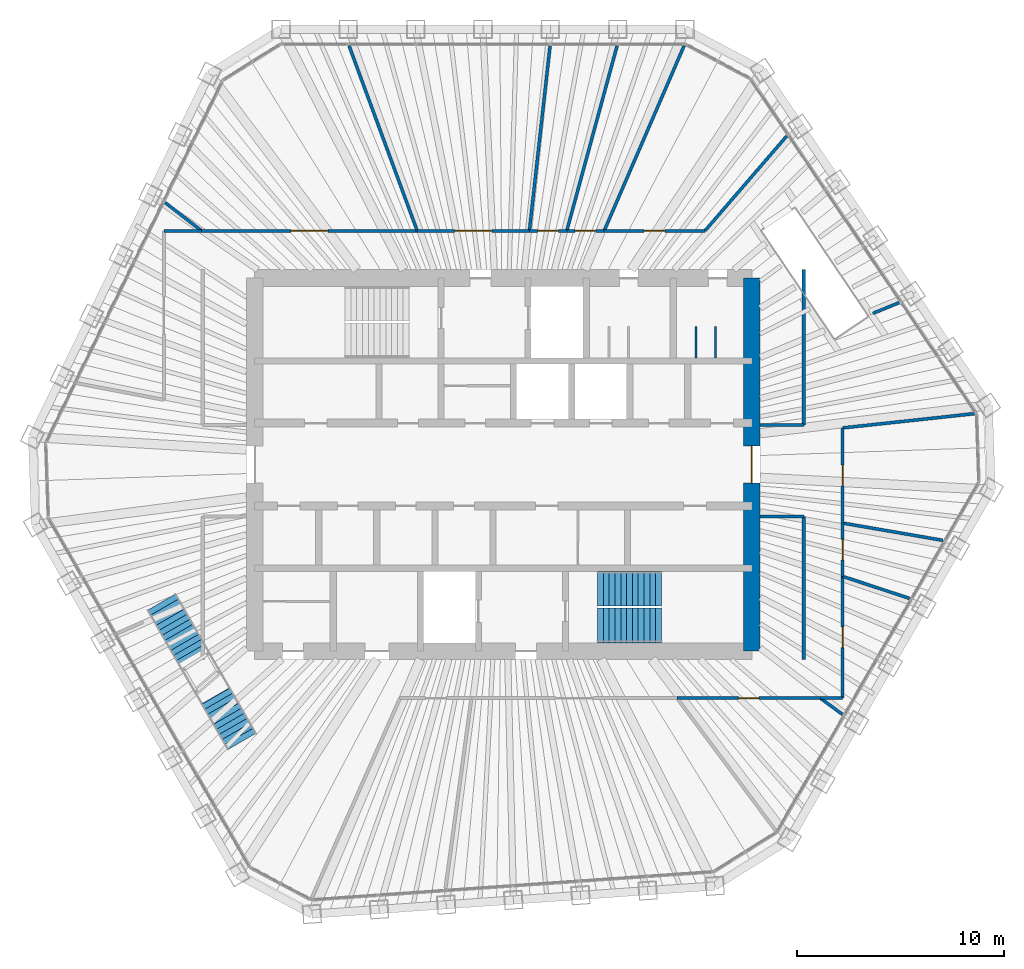
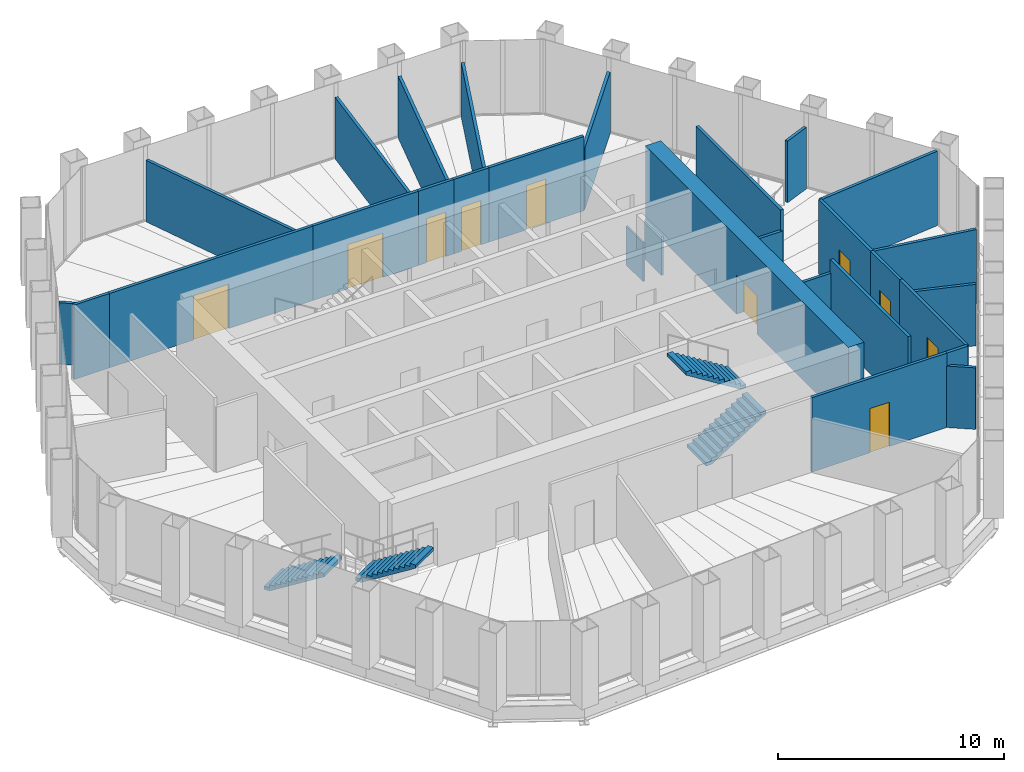
# One storey, part 15 of 17: 29 walls, 10 doors, 4 stair flights, 10 openings, 2 elements without a shape of their own.
"""IFC4 building model written with IfcOpenShell, lengths in metres."""

from ifc_helpers import new_model, si_unit, direction, frame, frame_2d, origin, place, context, subcontext, project, spatial, polyline, rectangle, outline, extrude, material, layer, layer_set, constituent, constituent_set, type_object, element, fill, aggregate, save


model = new_model("IFC4")

# Units and contexts
model_context = context("Model", 3, precision=1e-05, world=origin(), true_north=direction((0.0, 1.0)))
body_context = subcontext(model_context, "Body", "Model", "MODEL_VIEW")
ifc_project = project(units=[si_unit("LENGTHUNIT", "METRE"), si_unit("AREAUNIT", "SQUARE_METRE"), si_unit("VOLUMEUNIT", "CUBIC_METRE"), si_unit("PLANEANGLEUNIT", "RADIAN"), si_unit("MASSUNIT", "GRAM", prefix="KILO")], contexts=[model_context])

# Site, building, storey
site_placement = place(None, origin())
site = spatial("IfcSite", under=ifc_project, at=site_placement, CompositionType="ELEMENT")
building_placement = place(site_placement, origin())
building = spatial("IfcBuilding", under=site, at=building_placement, Name="Qingtian Harvest Tower", CompositionType="ELEMENT")
storey_placement = place(building_placement, frame((0.0, 0.0, 329.199951171875)))
storey = spatial("IfcBuildingStorey", under=building, at=storey_placement, Name="L73", CompositionType="ELEMENT", Elevation=329.199951171875)

# Wall, opening, door
ifc_material_1 = material(Name="Concrete fc' 70 MPa", Category="concrete")
ifc_layer_1 = layer(ifc_material_1, 0.800048828125)
ifc_layer_set_1 = layer_set([ifc_layer_1], Name="Core wall RC4 800")
wall_type_1 = type_object("IfcWallType", Name="Core wall RC4 800", PredefinedType="SHEAR", material=ifc_layer_set_1)
wall_1_placement = place(storey_placement, frame((12.0, -9.0, 0.0), z_axis=(0.0, 0.0, 1.0), x_axis=(0.0, 1.0, 0.0)))
wall_1 = element("IfcWall", 1, at=wall_1_placement, inside=storey, type_object=wall_type_1, Name="Core wall CE L73", PredefinedType="SHEAR", context=body_context, shape_type="SweptSolid", body=[
    extrude(rectangle(XDim=18.0, YDim=0.800048828125, at=frame_2d((9.0, 0.0))), origin(), (0.0, 0.0, 1.0), 4.199951171875),
])
opening_1_placement = place(wall_1_placement, frame((8.10009765625, 0.0, 0.0)))
opening_1 = element("IfcOpeningElement", 2, at=opening_1_placement, cuts=wall_1, Name="Opening FD2", PredefinedType="OPENING", context=body_context, shape_type="SweptSolid", body=[
    extrude(rectangle(XDim=1.800048828125, YDim=2.10009765625, at=frame_2d((0.89990234375, 1.050048828125))), frame((0.0, 0.409912109375, 0.0), z_axis=(0.0, -1.0, 0.0), x_axis=(1.0, 0.0, 0.0)), (0.0, 0.0, 1.0), 0.820068359375),
])
ifc_material_2 = material(Name="Steel-faced door leaf", Category="steel")
door_type_1 = type_object("IfcDoorType", Name="Fire door FD2 double 1 HR", OperationType="DOUBLE_DOOR_DOUBLE_SWING", PredefinedType="DOOR", material=ifc_material_2)
door_1_placement = place(opening_1_placement, origin())
door_1 = element("IfcDoor", 3, at=door_1_placement, inside=storey, type_object=door_type_1, Name="LOBBY-E door L73", OperationType="DOUBLE_DOOR_DOUBLE_SWING", OverallHeight=2.10009765625, OverallWidth=1.800048828125, PredefinedType="DOOR", context=body_context, shape_type="SweptSolid", body=[
    extrude(rectangle(XDim=1.800048828125, YDim=2.10009765625, at=frame_2d((0.89990234375, 1.050048828125))), frame((0.0, 0.02490234375, 0.0), z_axis=(0.0, -1.0, 0.0), x_axis=(1.0, 0.0, 0.0)), (0.0, 0.0, 1.0), 0.050048828125),
])
fill(opening_1, door_1)

# Wall
ifc_material_3 = material(Name="Gypsum board on steel studs", Category="steel")
ifc_layer_2 = layer(ifc_material_3, 0.14990234375)
ifc_layer_set_2 = layer_set([ifc_layer_2], Name="Partition PT1 150")
wall_type_2 = type_object("IfcWallType", Name="Partition PT1 150", PredefinedType="PARTITIONING", material=ifc_layer_set_2)
wall_2_placement = place(storey_placement, frame((-16.313720703125, 12.63623046875, 0.0), z_axis=(0.0, 0.0, 1.0), x_axis=(0.790545318909, -0.612403542406, 0.0)))
element("IfcWall", 4, at=wall_2_placement, inside=storey, type_object=wall_type_2, Name="Meeting room wall L73", PredefinedType="PARTITIONING", context=body_context, shape_type="SweptSolid", body=[
    extrude(rectangle(XDim=2.222900390625, YDim=0.14990234375, at=frame_2d((1.111328125, 0.0))), origin(), (0.0, 0.0, 1.0), 3.330078125),
])

# Wall, opening, door
wall_3_placement = place(storey_placement, frame((-14.556396484375, 11.27490234375, 0.0), z_axis=(0.0, 0.0, 1.0), x_axis=(1.0, 0.0, 0.0)))
wall_3 = element("IfcWall", 5, at=wall_3_placement, inside=storey, type_object=wall_type_2, Name="Meeting room wall L73", PredefinedType="PARTITIONING", context=body_context, shape_type="SweptSolid", body=[
    extrude(rectangle(XDim=10.405029296875, YDim=0.14990234375, at=frame_2d((5.20263671875, 0.0))), origin(), (0.0, 0.0, 1.0), 4.030029296875),
])
opening_2_placement = place(wall_3_placement, frame((4.302490234375, 0.0, 0.0)))
opening_2 = element("IfcOpeningElement", 6, at=opening_2_placement, cuts=wall_3, Name="Opening D3", PredefinedType="OPENING", context=body_context, shape_type="SweptSolid", body=[
    extrude(rectangle(XDim=1.800048828125, YDim=2.39990234375, at=frame_2d((0.89990234375, 1.199951171875))), frame((0.0, 0.0849609375, 0.0), z_axis=(0.0, -1.0, 0.0), x_axis=(1.0, 0.0, 0.0)), (0.0, 0.0, 1.0), 0.169921875),
])
ifc_material_4 = material(Name="Laminated timber door leaf", Category="wood")
door_type_2 = type_object("IfcDoorType", Name="Room door D3 double", OperationType="DOUBLE_DOOR_DOUBLE_SWING", PredefinedType="DOOR", material=ifc_material_4)
door_2_placement = place(opening_2_placement, origin())
door_2 = element("IfcDoor", 7, at=door_2_placement, inside=storey, type_object=door_type_2, Name="Meeting room door L73", OperationType="DOUBLE_DOOR_DOUBLE_SWING", OverallHeight=2.39990234375, OverallWidth=1.800048828125, PredefinedType="DOOR", context=body_context, shape_type="SweptSolid", body=[
    extrude(rectangle(XDim=1.800048828125, YDim=2.39990234375, at=frame_2d((0.89990234375, 1.199951171875))), frame((0.0, 0.02490234375, 0.0), z_axis=(0.0, -1.0, 0.0), x_axis=(1.0, 0.0, 0.0)), (0.0, 0.0, 1.0), 0.050048828125),
])
fill(opening_2, door_2)

# Wall
wall_4_placement = place(storey_placement, frame((-7.439697265625, 20.2060546875, 0.0), z_axis=(0.0, 0.0, 1.0), x_axis=(0.345511582319, -0.93841448544, 0.0)))
element("IfcWall", 8, at=wall_4_placement, inside=storey, type_object=wall_type_2, Name="Executive office wall L73", PredefinedType="PARTITIONING", context=body_context, shape_type="SweptSolid", body=[
    extrude(rectangle(XDim=9.517333984375, YDim=0.14990234375, at=frame_2d((4.7587890625, 0.0))), origin(), (0.0, 0.0, 1.0), 3.330078125),
])

# Wall, opening, door
wall_5_placement = place(storey_placement, frame((-4.1513671875, 11.27490234375, 0.0), z_axis=(0.0, 0.0, 1.0), x_axis=(1.0, 0.0, 0.0)))
wall_5 = element("IfcWall", 9, at=wall_5_placement, inside=storey, type_object=wall_type_2, Name="Executive office wall L73", PredefinedType="PARTITIONING", context=body_context, shape_type="SweptSolid", body=[
    extrude(rectangle(XDim=5.412109375, YDim=0.14990234375, at=frame_2d((2.7060546875, 0.0))), origin(), (0.0, 0.0, 1.0), 4.030029296875),
])
opening_3_placement = place(wall_5_placement, frame((1.805908203125, 0.0, 0.0)))
opening_3 = element("IfcOpeningElement", 10, at=opening_3_placement, cuts=wall_5, Name="Opening D3", PredefinedType="OPENING", context=body_context, shape_type="SweptSolid", body=[
    extrude(rectangle(XDim=1.800048828125, YDim=2.39990234375, at=frame_2d((0.89990234375, 1.199951171875))), frame((0.0, 0.0849609375, 0.0), z_axis=(0.0, -1.0, 0.0), x_axis=(1.0, 0.0, 0.0)), (0.0, 0.0, 1.0), 0.169921875),
])
door_3_placement = place(opening_3_placement, origin())
door_3 = element("IfcDoor", 11, at=door_3_placement, inside=storey, type_object=door_type_2, Name="Executive office door L73", OperationType="DOUBLE_DOOR_DOUBLE_SWING", OverallHeight=2.39990234375, OverallWidth=1.800048828125, PredefinedType="DOOR", context=body_context, shape_type="SweptSolid", body=[
    extrude(rectangle(XDim=1.800048828125, YDim=2.39990234375, at=frame_2d((0.89990234375, 1.199951171875))), frame((0.0, 0.02490234375, 0.0), z_axis=(0.0, -1.0, 0.0), x_axis=(1.0, 0.0, 0.0)), (0.0, 0.0, 1.0), 0.050048828125),
])
fill(opening_3, door_3)

# Wall
wall_6_placement = place(storey_placement, frame((2.2587890625, 20.20068359375, 0.0), z_axis=(0.0, 0.0, 1.0), x_axis=(-0.111123668582, -0.993806585952, 0.0)))
element("IfcWall", 12, at=wall_6_placement, inside=storey, type_object=wall_type_2, Name="Executive office wall L73", PredefinedType="PARTITIONING", context=body_context, shape_type="SweptSolid", body=[
    extrude(rectangle(XDim=8.9814453125, YDim=0.14990234375, at=frame_2d((4.49072265625, 0.0))), origin(), (0.0, 0.0, 1.0), 3.330078125),
])

# Wall, opening, door
wall_7_placement = place(storey_placement, frame((1.2607421875, 11.27490234375, 0.0), z_axis=(0.0, 0.0, 1.0), x_axis=(1.0, 0.0, 0.0)))
wall_7 = element("IfcWall", 13, at=wall_7_placement, inside=storey, type_object=wall_type_2, Name="Executive office wall L73", PredefinedType="PARTITIONING", context=body_context, shape_type="SweptSolid", body=[
    extrude(rectangle(XDim=1.803955078125, YDim=0.14990234375, at=frame_2d((0.90185546875, 0.0))), origin(), (0.0, 0.0, 1.0), 4.030029296875),
])
opening_4_placement = place(wall_7_placement, frame((0.402099609375, 0.0, 0.0)))
opening_4 = element("IfcOpeningElement", 14, at=opening_4_placement, cuts=wall_7, Name="Opening D2", PredefinedType="OPENING", context=body_context, shape_type="SweptSolid", body=[
    extrude(rectangle(XDim=1.0, YDim=2.39990234375, at=frame_2d((0.5, 1.199951171875))), frame((0.0, 0.0849609375, 0.0), z_axis=(0.0, -1.0, 0.0), x_axis=(1.0, 0.0, 0.0)), (0.0, 0.0, 1.0), 0.169921875),
])
ifc_material_5 = material(Name="Laminated timber door leaf", Category="wood")
door_type_3 = type_object("IfcDoorType", Name="Room door D2 single", OperationType="SINGLE_SWING_LEFT", PredefinedType="DOOR", material=ifc_material_5)
door_4_placement = place(opening_4_placement, origin())
door_4 = element("IfcDoor", 15, at=door_4_placement, inside=storey, type_object=door_type_3, Name="Executive office door L73", OperationType="SINGLE_SWING_RIGHT", OverallHeight=2.39990234375, OverallWidth=1.0, PredefinedType="DOOR", context=body_context, shape_type="SweptSolid", body=[
    extrude(rectangle(XDim=1.0, YDim=2.39990234375, at=frame_2d((0.5, 1.199951171875))), frame((0.0, 0.02490234375, 0.0), z_axis=(0.0, -1.0, 0.0), x_axis=(1.0, 0.0, 0.0)), (0.0, 0.0, 1.0), 0.050048828125),
])
fill(opening_4, door_4)

# Wall
wall_8_placement = place(storey_placement, frame((5.49169921875, 20.20361328125, 0.0), z_axis=(0.0, 0.0, 1.0), x_axis=(-0.262302393053, -0.964985727666, 0.0)))
element("IfcWall", 16, at=wall_8_placement, inside=storey, type_object=wall_type_2, Name="Executive office wall L73", PredefinedType="PARTITIONING", context=body_context, shape_type="SweptSolid", body=[
    extrude(rectangle(XDim=9.252685546875, YDim=0.14990234375, at=frame_2d((4.62646484375, 0.0))), origin(), (0.0, 0.0, 1.0), 3.330078125),
])

# Wall, opening, door
wall_9_placement = place(storey_placement, frame((3.064697265625, 11.27490234375, 0.0), z_axis=(0.0, 0.0, 1.0), x_axis=(1.0, 0.0, 0.0)))
wall_9 = element("IfcWall", 17, at=wall_9_placement, inside=storey, type_object=wall_type_2, Name="Executive office wall L73", PredefinedType="PARTITIONING", context=body_context, shape_type="SweptSolid", body=[
    extrude(rectangle(XDim=1.803955078125, YDim=0.14990234375, at=frame_2d((0.90185546875, 0.0))), origin(), (0.0, 0.0, 1.0), 4.030029296875),
])
opening_5_placement = place(wall_9_placement, frame((0.402099609375, 0.0, 0.0)))
opening_5 = element("IfcOpeningElement", 18, at=opening_5_placement, cuts=wall_9, Name="Opening D2", PredefinedType="OPENING", context=body_context, shape_type="SweptSolid", body=[
    extrude(rectangle(XDim=1.0, YDim=2.39990234375, at=frame_2d((0.5, 1.199951171875))), frame((0.0, 0.0849609375, 0.0), z_axis=(0.0, -1.0, 0.0), x_axis=(1.0, 0.0, 0.0)), (0.0, 0.0, 1.0), 0.169921875),
])
door_5_placement = place(opening_5_placement, origin())
door_5 = element("IfcDoor", 19, at=door_5_placement, inside=storey, type_object=door_type_3, Name="Executive office door L73", OperationType="SINGLE_SWING_RIGHT", OverallHeight=2.39990234375, OverallWidth=1.0, PredefinedType="DOOR", context=body_context, shape_type="SweptSolid", body=[
    extrude(rectangle(XDim=1.0, YDim=2.39990234375, at=frame_2d((0.5, 1.199951171875))), frame((0.0, 0.02490234375, 0.0), z_axis=(0.0, -1.0, 0.0), x_axis=(1.0, 0.0, 0.0)), (0.0, 0.0, 1.0), 0.050048828125),
])
fill(opening_5, door_5)

# Wall
wall_10_placement = place(storey_placement, frame((8.726318359375, 20.208251953125, 0.0), z_axis=(0.0, 0.0, 1.0), x_axis=(-0.39644322536, -0.918059240499, 0.0)))
element("IfcWall", 20, at=wall_10_placement, inside=storey, type_object=wall_type_2, Name="Focus room wall L73", PredefinedType="PARTITIONING", context=body_context, shape_type="SweptSolid", body=[
    extrude(rectangle(XDim=9.730712890625, YDim=0.14990234375, at=frame_2d((4.865234375, 0.0))), origin(), (0.0, 0.0, 1.0), 2.929931640625),
])

# Wall, opening, door
wall_11_placement = place(storey_placement, frame((4.86865234375, 11.27490234375, 0.0), z_axis=(0.0, 0.0, 1.0), x_axis=(1.0, 0.0, 0.0)))
wall_11 = element("IfcWall", 21, at=wall_11_placement, inside=storey, type_object=wall_type_2, Name="Focus room wall L73", PredefinedType="PARTITIONING", context=body_context, shape_type="SweptSolid", body=[
    extrude(rectangle(XDim=4.861328125, YDim=0.14990234375, at=frame_2d((2.4306640625, 0.0))), origin(), (0.0, 0.0, 1.0), 4.030029296875),
])
opening_6_placement = place(wall_11_placement, frame((1.9306640625, 0.0, 0.0)))
opening_6 = element("IfcOpeningElement", 22, at=opening_6_placement, cuts=wall_11, Name="Opening D2", PredefinedType="OPENING", context=body_context, shape_type="SweptSolid", body=[
    extrude(rectangle(XDim=1.0, YDim=2.39990234375, at=frame_2d((0.5, 1.199951171875))), frame((0.0, 0.0849609375, 0.0), z_axis=(0.0, -1.0, 0.0), x_axis=(1.0, 0.0, 0.0)), (0.0, 0.0, 1.0), 0.169921875),
])
door_6_placement = place(opening_6_placement, origin())
door_6 = element("IfcDoor", 23, at=door_6_placement, inside=storey, type_object=door_type_3, Name="Focus room door L73", OperationType="SINGLE_SWING_RIGHT", OverallHeight=2.39990234375, OverallWidth=1.0, PredefinedType="DOOR", context=body_context, shape_type="SweptSolid", body=[
    extrude(rectangle(XDim=1.0, YDim=2.39990234375, at=frame_2d((0.5, 1.199951171875))), frame((0.0, 0.02490234375, 0.0), z_axis=(0.0, -1.0, 0.0), x_axis=(1.0, 0.0, 0.0)), (0.0, 0.0, 1.0), 0.050048828125),
])
fill(opening_6, door_6)

# Walls
wall_12_placement = place(storey_placement, frame((13.678466796875, 15.850341796875, 0.0), z_axis=(0.0, 0.0, 1.0), x_axis=(-0.65333269737, -0.757070925704, 0.0)))
element("IfcWall", 24, at=wall_12_placement, inside=storey, type_object=wall_type_2, Name="Breakout lounge wall L73", PredefinedType="PARTITIONING", context=body_context, shape_type="SweptSolid", body=[
    extrude(rectangle(XDim=6.043701171875, YDim=0.14990234375, at=frame_2d((3.02197265625, 0.0))), origin(), (0.0, 0.0, 1.0), 3.330078125),
])
wall_13_placement = place(storey_placement, frame((19.10009765625, 7.81005859375, 0.0), z_axis=(0.0, 0.0, 1.0), x_axis=(-0.925595457991, -0.378514264125, 0.0)))
element("IfcWall", 25, at=wall_13_placement, inside=storey, type_object=wall_type_2, Name="Breakout lounge wall L73", PredefinedType="PARTITIONING", context=body_context, shape_type="SweptSolid", body=[
    extrude(rectangle(XDim=1.36279296875, YDim=0.14990234375, at=frame_2d((0.681396484375, 0.0))), origin(), (0.0, 0.0, 1.0), 3.330078125),
])
wall_14_placement = place(storey_placement, frame((22.725830078125, 2.45166015625, 0.0), z_axis=(0.0, 0.0, 1.0), x_axis=(-0.994232408241, -0.107246997175, 0.0)))
element("IfcWall", 26, at=wall_14_placement, inside=storey, type_object=wall_type_2, Name="Print room wall L73", PredefinedType="PARTITIONING", context=body_context, shape_type="SweptSolid", body=[
    extrude(rectangle(XDim=6.3876953125, YDim=0.14990234375, at=frame_2d((3.19384765625, 0.0))), origin(), (0.0, 0.0, 1.0), 4.030029296875),
])

# Wall, opening, door
wall_15_placement = place(storey_placement, frame((16.375, 1.7666015625, 0.0), z_axis=(0.0, 0.0, 1.0), x_axis=(0.0, -1.0, 0.0)))
wall_15 = element("IfcWall", 27, at=wall_15_placement, inside=storey, type_object=wall_type_2, Name="Print room wall L73", PredefinedType="PARTITIONING", context=body_context, shape_type="SweptSolid", body=[
    extrude(rectangle(XDim=4.59130859375, YDim=0.14990234375, at=frame_2d((2.295654296875, 0.0))), origin(), (0.0, 0.0, 1.0), 4.030029296875),
])
opening_7_placement = place(wall_15_placement, frame((1.795654296875, 0.0, 0.0)))
opening_7 = element("IfcOpeningElement", 28, at=opening_7_placement, cuts=wall_15, Name="Opening D2", PredefinedType="OPENING", context=body_context, shape_type="SweptSolid", body=[
    extrude(rectangle(XDim=1.0, YDim=2.39990234375, at=frame_2d((0.5, 1.199951171875))), frame((0.0, 0.0849609375, 0.0), z_axis=(0.0, -1.0, 0.0), x_axis=(1.0, 0.0, 0.0)), (0.0, 0.0, 1.0), 0.169921875),
])
door_7_placement = place(opening_7_placement, origin())
door_7 = element("IfcDoor", 29, at=door_7_placement, inside=storey, type_object=door_type_3, Name="Print room door L73", OperationType="SINGLE_SWING_LEFT", OverallHeight=2.39990234375, OverallWidth=1.0, PredefinedType="DOOR", context=body_context, shape_type="SweptSolid", body=[
    extrude(rectangle(XDim=1.0, YDim=2.39990234375, at=frame_2d((0.5, 1.199951171875))), frame((0.0, 0.02490234375, 0.0), z_axis=(0.0, -1.0, 0.0), x_axis=(1.0, 0.0, 0.0)), (0.0, 0.0, 1.0), 0.050048828125),
])
fill(opening_7, door_7)

# Wall
wall_16_placement = place(storey_placement, frame((21.218994140625, -3.66015625, 0.0), z_axis=(0.0, 0.0, 1.0), x_axis=(-0.98545065103, 0.169961802723, 0.0)))
element("IfcWall", 30, at=wall_16_placement, inside=storey, type_object=wall_type_2, Name="Store room wall L73", PredefinedType="PARTITIONING", context=body_context, shape_type="SweptSolid", body=[
    extrude(rectangle(XDim=4.91552734375, YDim=0.14990234375, at=frame_2d((2.457763671875, 0.0))), origin(), (0.0, 0.0, 1.0), 4.030029296875),
])

# Wall, opening, door
wall_17_placement = place(storey_placement, frame((16.375, -2.82470703125, 0.0), z_axis=(0.0, 0.0, 1.0), x_axis=(0.0, -1.0, 0.0)))
wall_17 = element("IfcWall", 31, at=wall_17_placement, inside=storey, type_object=wall_type_2, Name="Store room wall L73", PredefinedType="PARTITIONING", context=body_context, shape_type="SweptSolid", body=[
    extrude(rectangle(XDim=2.57177734375, YDim=0.14990234375, at=frame_2d((1.285888671875, 0.0))), origin(), (0.0, 0.0, 1.0), 4.030029296875),
])
opening_8_placement = place(wall_17_placement, frame((0.785888671875, 0.0, 0.0)))
opening_8 = element("IfcOpeningElement", 32, at=opening_8_placement, cuts=wall_17, Name="Opening D2", PredefinedType="OPENING", context=body_context, shape_type="SweptSolid", body=[
    extrude(rectangle(XDim=1.0, YDim=2.39990234375, at=frame_2d((0.5, 1.199951171875))), frame((0.0, 0.0849609375, 0.0), z_axis=(0.0, -1.0, 0.0), x_axis=(1.0, 0.0, 0.0)), (0.0, 0.0, 1.0), 0.169921875),
])
door_8_placement = place(opening_8_placement, origin())
door_8 = element("IfcDoor", 33, at=door_8_placement, inside=storey, type_object=door_type_3, Name="Store room door L73", OperationType="SINGLE_SWING_LEFT", OverallHeight=2.39990234375, OverallWidth=1.0, PredefinedType="DOOR", context=body_context, shape_type="SweptSolid", body=[
    extrude(rectangle(XDim=1.0, YDim=2.39990234375, at=frame_2d((0.5, 1.199951171875))), frame((0.0, 0.02490234375, 0.0), z_axis=(0.0, -1.0, 0.0), x_axis=(1.0, 0.0, 0.0)), (0.0, 0.0, 1.0), 0.050048828125),
])
fill(opening_8, door_8)

# Wall
wall_18_placement = place(storey_placement, frame((19.598388671875, -6.458740234375, 0.0), z_axis=(0.0, 0.0, 1.0), x_axis=(-0.949756799168, 0.312988853532, 0.0)))
element("IfcWall", 34, at=wall_18_placement, inside=storey, type_object=wall_type_2, Name="Executive office wall L73", PredefinedType="PARTITIONING", context=body_context, shape_type="SweptSolid", body=[
    extrude(rectangle(XDim=3.393798828125, YDim=0.14990234375, at=frame_2d((1.69677734375, 0.0))), origin(), (0.0, 0.0, 1.0), 3.330078125),
])

# Wall, opening, door
wall_19_placement = place(storey_placement, frame((16.375, -5.396484375, 0.0), z_axis=(0.0, 0.0, 1.0), x_axis=(0.0, -1.0, 0.0)))
wall_19 = element("IfcWall", 35, at=wall_19_placement, inside=storey, type_object=wall_type_2, Name="Executive office wall L73", PredefinedType="PARTITIONING", context=body_context, shape_type="SweptSolid", body=[
    extrude(rectangle(XDim=5.87841796875, YDim=0.14990234375, at=frame_2d((2.939208984375, 0.0))), origin(), (0.0, 0.0, 1.0), 4.030029296875),
])
opening_9_placement = place(wall_19_placement, frame((2.439208984375, 0.0, 0.0)))
opening_9 = element("IfcOpeningElement", 36, at=opening_9_placement, cuts=wall_19, Name="Opening D2", PredefinedType="OPENING", context=body_context, shape_type="SweptSolid", body=[
    extrude(rectangle(XDim=1.0, YDim=2.39990234375, at=frame_2d((0.5, 1.199951171875))), frame((0.0, 0.0849609375, 0.0), z_axis=(0.0, -1.0, 0.0), x_axis=(1.0, 0.0, 0.0)), (0.0, 0.0, 1.0), 0.169921875),
])
door_9_placement = place(opening_9_placement, origin())
door_9 = element("IfcDoor", 37, at=door_9_placement, inside=storey, type_object=door_type_3, Name="Executive office door L73", OperationType="SINGLE_SWING_LEFT", OverallHeight=2.39990234375, OverallWidth=1.0, PredefinedType="DOOR", context=body_context, shape_type="SweptSolid", body=[
    extrude(rectangle(XDim=1.0, YDim=2.39990234375, at=frame_2d((0.5, 1.199951171875))), frame((0.0, 0.02490234375, 0.0), z_axis=(0.0, -1.0, 0.0), x_axis=(1.0, 0.0, 0.0)), (0.0, 0.0, 1.0), 0.050048828125),
])
fill(opening_9, door_9)

# Walls
wall_20_placement = place(storey_placement, frame((16.375, -11.27490234375, 0.0), z_axis=(0.0, 0.0, 1.0), x_axis=(-1.0, 0.0, 0.0)))
element("IfcWall", 38, at=wall_20_placement, inside=storey, type_object=wall_type_2, Name="Executive office wall L73", PredefinedType="PARTITIONING", context=body_context, shape_type="SweptSolid", body=[
    extrude(rectangle(XDim=1.07080078125, YDim=0.14990234375, at=frame_2d((0.535400390625, 0.0))), origin(), (0.0, 0.0, 1.0), 4.030029296875),
])
wall_21_placement = place(storey_placement, frame((16.364990234375, -12.056396484375, 0.0), z_axis=(0.0, 0.0, 1.0), x_axis=(-0.805107064944, 0.593129508604, 0.0)))
element("IfcWall", 39, at=wall_21_placement, inside=storey, type_object=wall_type_2, Name="Pantry wall L73", PredefinedType="PARTITIONING", context=body_context, shape_type="SweptSolid", body=[
    extrude(rectangle(XDim=1.317626953125, YDim=0.14990234375, at=frame_2d((0.65869140625, 0.0))), origin(), (0.0, 0.0, 1.0), 3.330078125),
])

# Wall, opening, door
wall_22_placement = place(storey_placement, frame((15.30419921875, -11.27490234375, 0.0), z_axis=(0.0, 0.0, 1.0), x_axis=(-1.0, 0.0, 0.0)))
wall_22 = element("IfcWall", 40, at=wall_22_placement, inside=storey, type_object=wall_type_2, Name="Pantry wall L73", PredefinedType="PARTITIONING", context=body_context, shape_type="SweptSolid", body=[
    extrude(rectangle(XDim=6.9169921875, YDim=0.14990234375, at=frame_2d((3.45849609375, 0.0))), origin(), (0.0, 0.0, 1.0), 4.030029296875),
])
opening_10_placement = place(wall_22_placement, frame((2.95849609375, 0.0, 0.0)))
opening_10 = element("IfcOpeningElement", 41, at=opening_10_placement, cuts=wall_22, Name="Opening D2", PredefinedType="OPENING", context=body_context, shape_type="SweptSolid", body=[
    extrude(rectangle(XDim=1.0, YDim=2.39990234375, at=frame_2d((0.5, 1.199951171875))), frame((0.0, 0.0849609375, 0.0), z_axis=(0.0, -1.0, 0.0), x_axis=(1.0, 0.0, 0.0)), (0.0, 0.0, 1.0), 0.169921875),
])
door_10_placement = place(opening_10_placement, origin())
door_10 = element("IfcDoor", 42, at=door_10_placement, inside=storey, type_object=door_type_3, Name="Pantry door L73", OperationType="SINGLE_SWING_LEFT", OverallHeight=2.39990234375, OverallWidth=1.0, PredefinedType="DOOR", context=body_context, shape_type="SweptSolid", body=[
    extrude(rectangle(XDim=1.0, YDim=2.39990234375, at=frame_2d((0.5, 1.199951171875))), frame((0.0, 0.02490234375, 0.0), z_axis=(0.0, -1.0, 0.0), x_axis=(1.0, 0.0, 0.0)), (0.0, 0.0, 1.0), 0.050048828125),
])
fill(opening_10, door_10)

# Walls
wall_23_placement = place(storey_placement, frame((-16.375, 11.27490234375, 0.0), z_axis=(0.0, 0.0, 1.0), x_axis=(1.0, 0.0, 0.0)))
element("IfcWall", 43, at=wall_23_placement, inside=storey, type_object=wall_type_2, Name="Seminar room wall L73", PredefinedType="PARTITIONING", context=body_context, shape_type="SweptSolid", body=[
    extrude(rectangle(XDim=1.818603515625, YDim=0.14990234375, at=frame_2d((0.9091796875, 0.0))), origin(), (0.0, 0.0, 1.0), 4.030029296875),
])
wall_24_placement = place(storey_placement, frame((14.5, 1.89990234375, 0.0), z_axis=(0.0, 0.0, 1.0), x_axis=(0.0, 1.0, 0.0)))
element("IfcWall", 44, at=wall_24_placement, inside=storey, type_object=wall_type_2, Name="Coffee point wall L73", PredefinedType="PARTITIONING", context=body_context, shape_type="SweptSolid", body=[
    extrude(rectangle(XDim=7.5, YDim=0.14990234375, at=frame_2d((3.75, 0.0))), origin(), (0.0, 0.0, 1.0), 4.030029296875),
])
wall_25_placement = place(storey_placement, frame((12.39990234375, 1.89990234375, 0.0), z_axis=(0.0, 0.0, 1.0), x_axis=(1.0, 0.0, 0.0)))
element("IfcWall", 45, at=wall_25_placement, inside=storey, type_object=wall_type_2, Name="Coffee point wall L73", PredefinedType="PARTITIONING", context=body_context, shape_type="SweptSolid", body=[
    extrude(rectangle(XDim=2.10009765625, YDim=0.14990234375, at=frame_2d((1.050048828125, 0.0))), origin(), (0.0, 0.0, 1.0), 2.929931640625),
])
wall_26_placement = place(storey_placement, frame((14.5, -9.39990234375, 0.0), z_axis=(0.0, 0.0, 1.0), x_axis=(0.0, 1.0, 0.0)))
element("IfcWall", 46, at=wall_26_placement, inside=storey, type_object=wall_type_2, Name="Print area wall L73", PredefinedType="PARTITIONING", context=body_context, shape_type="SweptSolid", body=[
    extrude(rectangle(XDim=6.89990234375, YDim=0.14990234375, at=frame_2d((3.449951171875, 0.0))), origin(), (0.0, 0.0, 1.0), 4.030029296875),
])
wall_27_placement = place(storey_placement, frame((12.39990234375, -2.5, 0.0), z_axis=(0.0, 0.0, 1.0), x_axis=(1.0, 0.0, 0.0)))
element("IfcWall", 47, at=wall_27_placement, inside=storey, type_object=wall_type_2, Name="Print area wall L73", PredefinedType="PARTITIONING", context=body_context, shape_type="SweptSolid", body=[
    extrude(rectangle(XDim=2.10009765625, YDim=0.14990234375, at=frame_2d((1.050048828125, 0.0))), origin(), (0.0, 0.0, 1.0), 3.330078125),
])
ifc_material_6 = material(Name="Compact laminate cubicle partition", Category="plastic")
ifc_layer_3 = layer(ifc_material_6, 0.10009765625)
ifc_layer_set_3 = layer_set([ifc_layer_3], Name="WC cubicle partition WP1 100")
wall_type_3 = type_object("IfcWallType", Name="WC cubicle partition WP1 100", PredefinedType="PARTITIONING", material=ifc_layer_set_3)
for number, where, z_axis, x_axis, name in (
    (48, (9.300048828125, 5.14990234375, 0.0), (0.0, 0.0, 1.0), (0.0, 1.0, 0.0), "WC cubicle partition WCF L73"),
    (49, (10.25, 5.14990234375, 0.0), (0.0, 0.0, 1.0), (0.0, 1.0, 0.0), "WC cubicle partition WCF L73"),
):
    element("IfcWall", number, at=place(storey_placement, frame(where, z_axis=z_axis, x_axis=x_axis)), inside=storey, type_object=wall_type_3, Name=name, PredefinedType="PARTITIONING", context=body_context, shape_type="SweptSolid", body=[
        extrude(rectangle(XDim=1.5, YDim=0.10009765625, at=frame_2d((0.75, 0.0))), origin(), (0.0, 0.0, 1.0), 2.10009765625),
    ])

# Stair, stair flights
ifc_material_7 = material(Name="Steel SN490B (325 MPa)", Category="steel")
ifc_constituent_1 = constituent(ifc_material_7, Name="Stringers")
ifc_material_8 = material(Name="Terrazzo treads")
ifc_constituent_2 = constituent(ifc_material_8, Name="Treads")
ifc_constituent_set_1 = constituent_set(constituents=[ifc_constituent_1, ifc_constituent_2], Name="Steel SN490B (325 MPa)")
stair_type_1 = type_object("IfcStairType", Name="Feature stair FS4200 straight run", PredefinedType="STRAIGHT_RUN_STAIR", material=ifc_constituent_set_1)
stair_1_placement = place(storey_placement, origin())
stair_1 = element("IfcStair", 50, at=stair_1_placement, inside=storey, type_object=stair_type_1, Name="Feature stair FS6 L73 to L74", PredefinedType="STRAIGHT_RUN_STAIR")
ifc_material_9 = material(Name="Steel SN490B (325 MPa)", Category="steel")
ifc_constituent_3 = constituent(ifc_material_9, Name="Stringers")
ifc_material_10 = material(Name="Terrazzo treads")
ifc_constituent_4 = constituent(ifc_material_10, Name="Treads")
ifc_constituent_set_2 = constituent_set(constituents=[ifc_constituent_3, ifc_constituent_4], Name="Steel SN490B (325 MPa)")
stair_flight_type_1 = type_object("IfcStairFlightType", Name="Feature stair flight FF4200", PredefinedType="STRAIGHT", material=ifc_constituent_set_2)
stair_flight_1_placement = place(storey_placement, frame((-16.489990234375, -6.639892578125, 0.0), z_axis=(0.0, 0.0, 1.0), x_axis=(0.5, -0.866025403784, 0.0)))
stair_flight_1 = element("IfcStairFlight", 51, at=stair_flight_1_placement, type_object=stair_flight_type_1, Name="FS6 flight 1", NumberOfRisers=12, NumberOfTreads=11, PredefinedType="STRAIGHT", RiserHeight=0.175, TreadLength=0.28, context=body_context, shape_type="SweptSolid", body=[
    extrude(outline(polyline([(0.0, 0.0), (0.0, 0.175048828125), (0.280029296875, 0.175048828125), (0.280029296875, 0.35009765625), (0.56005859375, 0.35009765625), (0.56005859375, 0.52490234375), (0.840087890625, 0.52490234375), (0.840087890625, 0.699951171875), (1.1201171875, 0.699951171875), (1.1201171875, 0.875), (1.39990234375, 0.875), (1.39990234375, 1.050048828125), (1.679931640625, 1.050048828125), (1.679931640625, 1.22509765625), (1.9599609375, 1.22509765625), (1.9599609375, 1.39990234375), (2.239990234375, 1.39990234375), (2.239990234375, 1.574951171875), (2.52001953125, 1.574951171875), (2.52001953125, 1.75), (2.800048828125, 1.75), (2.800048828125, 1.925048828125), (3.080078125, 1.925048828125), (3.080078125, 2.10009765625), (3.080078125, 1.748291015625), (0.28271484375, 0.0), (0.0, 0.0)])), frame((0.0, 0.800048828125, 0.0), z_axis=(0.0, -1.0, 0.0), x_axis=(1.0, 0.0, 0.0)), (0.0, 0.0, 1.0), 1.60009765625),
])
stair_flight_2_placement = place(storey_placement, frame((-14.14990234375, -10.69287109375, 2.10009765625), z_axis=(0.0, 0.0, 1.0), x_axis=(0.5, -0.866025403784, 0.0)))
stair_flight_2 = element("IfcStairFlight", 52, at=stair_flight_2_placement, type_object=stair_flight_type_1, Name="FS6 flight 2", NumberOfRisers=12, NumberOfTreads=11, PredefinedType="STRAIGHT", RiserHeight=0.175, TreadLength=0.28, context=body_context, shape_type="SweptSolid", body=[
    extrude(outline(polyline([(0.0, 0.0), (0.0, 0.175048828125), (0.280029296875, 0.175048828125), (0.280029296875, 0.35009765625), (0.56005859375, 0.35009765625), (0.56005859375, 0.52490234375), (0.840087890625, 0.52490234375), (0.840087890625, 0.699951171875), (1.1201171875, 0.699951171875), (1.1201171875, 0.875), (1.39990234375, 0.875), (1.39990234375, 1.050048828125), (1.679931640625, 1.050048828125), (1.679931640625, 1.22509765625), (1.9599609375, 1.22509765625), (1.9599609375, 1.39990234375), (2.239990234375, 1.39990234375), (2.239990234375, 1.574951171875), (2.52001953125, 1.574951171875), (2.52001953125, 1.75), (2.800048828125, 1.75), (2.800048828125, 1.925048828125), (3.080078125, 1.925048828125), (3.080078125, 2.10009765625), (3.080078125, 1.748291015625), (0.28271484375, 0.0), (0.0, 0.0)])), frame((0.0, 0.800048828125, 0.0), z_axis=(0.0, -1.0, 0.0), x_axis=(1.0, 0.0, 0.0)), (0.0, 0.0, 1.0), 1.60009765625),
])
aggregate(stair_1, [stair_flight_1, stair_flight_2])

ifc_material_11 = material(Name="Concrete fc' 35 MPa", Category="concrete")
stair_type_2 = type_object("IfcStairType", Name="Special stair ST7 4200", PredefinedType="HALF_TURN_STAIR", material=ifc_material_11)
stair_2_placement = place(storey_placement, origin())
stair_2 = element("IfcStair", 53, at=stair_2_placement, inside=storey, type_object=stair_type_2, Name="Special stair S2 L73", PredefinedType="HALF_TURN_STAIR")
ifc_material_12 = material(Name="Concrete fc' 35 MPa", Category="concrete")
stair_flight_type_2 = type_object("IfcStairFlightType", Name="Stair flight SF7 4200", PredefinedType="STRAIGHT", material=ifc_material_12)
stair_flight_3_placement = place(storey_placement, frame((4.550048828125, -7.762451171875, 0.0), z_axis=(0.0, 0.0, 1.0), x_axis=(1.0, 0.0, 0.0)))
stair_flight_3 = element("IfcStairFlight", 54, at=stair_flight_3_placement, type_object=stair_flight_type_2, Name="S2 flight 1", NumberOfRisers=12, NumberOfTreads=11, PredefinedType="STRAIGHT", RiserHeight=0.175, TreadLength=0.28, context=body_context, shape_type="SweptSolid", body=[
    extrude(outline(polyline([(0.0, 0.0), (0.0, 0.175048828125), (0.280029296875, 0.175048828125), (0.280029296875, 0.35009765625), (0.56005859375, 0.35009765625), (0.56005859375, 0.52490234375), (0.840087890625, 0.52490234375), (0.840087890625, 0.699951171875), (1.1201171875, 0.699951171875), (1.1201171875, 0.875), (1.39990234375, 0.875), (1.39990234375, 1.050048828125), (1.679931640625, 1.050048828125), (1.679931640625, 1.22509765625), (1.9599609375, 1.22509765625), (1.9599609375, 1.39990234375), (2.239990234375, 1.39990234375), (2.239990234375, 1.574951171875), (2.52001953125, 1.574951171875), (2.52001953125, 1.75), (2.800048828125, 1.75), (2.800048828125, 1.925048828125), (3.080078125, 1.925048828125), (3.080078125, 2.10009765625), (3.080078125, 1.748291015625), (0.28271484375, 0.0), (0.0, 0.0)])), frame((0.0, 0.83740234375, 0.0), z_axis=(0.0, -1.0, 0.0), x_axis=(1.0, 0.0, 0.0)), (0.0, 0.0, 1.0), 1.675048828125),
])
stair_flight_4_placement = place(storey_placement, frame((7.6298828125, -5.987548828125, 2.10009765625), z_axis=(0.0, 0.0, 1.0), x_axis=(-1.0, 0.0, 0.0)))
stair_flight_4 = element("IfcStairFlight", 55, at=stair_flight_4_placement, type_object=stair_flight_type_2, Name="S2 flight 2", NumberOfRisers=12, NumberOfTreads=11, PredefinedType="STRAIGHT", RiserHeight=0.175, TreadLength=0.28, context=body_context, shape_type="SweptSolid", body=[
    extrude(outline(polyline([(0.0, 0.0), (0.0, 0.175048828125), (0.280029296875, 0.175048828125), (0.280029296875, 0.35009765625), (0.56005859375, 0.35009765625), (0.56005859375, 0.52490234375), (0.840087890625, 0.52490234375), (0.840087890625, 0.699951171875), (1.1201171875, 0.699951171875), (1.1201171875, 0.875), (1.39990234375, 0.875), (1.39990234375, 1.050048828125), (1.679931640625, 1.050048828125), (1.679931640625, 1.22509765625), (1.9599609375, 1.22509765625), (1.9599609375, 1.39990234375), (2.239990234375, 1.39990234375), (2.239990234375, 1.574951171875), (2.52001953125, 1.574951171875), (2.52001953125, 1.75), (2.800048828125, 1.75), (2.800048828125, 1.925048828125), (3.080078125, 1.925048828125), (3.080078125, 2.10009765625), (3.080078125, 1.748291015625), (0.28271484375, 0.0), (0.0, 0.0)])), frame((0.0, 0.83740234375, 0.0), z_axis=(0.0, -1.0, 0.0), x_axis=(1.0, 0.0, 0.0)), (0.0, 0.0, 1.0), 1.675048828125),
])
aggregate(stair_2, [stair_flight_3, stair_flight_4])

save(model, "model.ifc")
